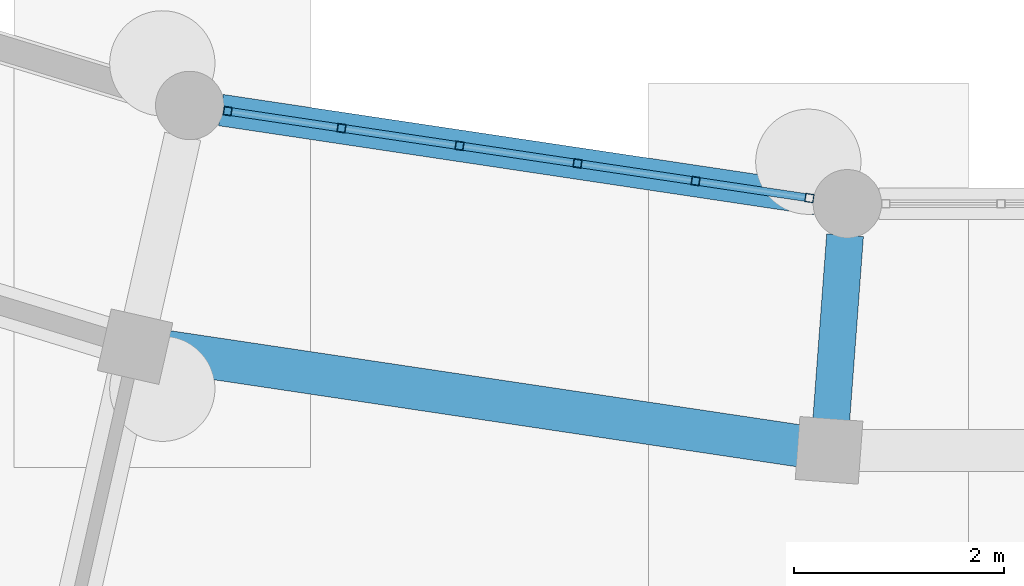
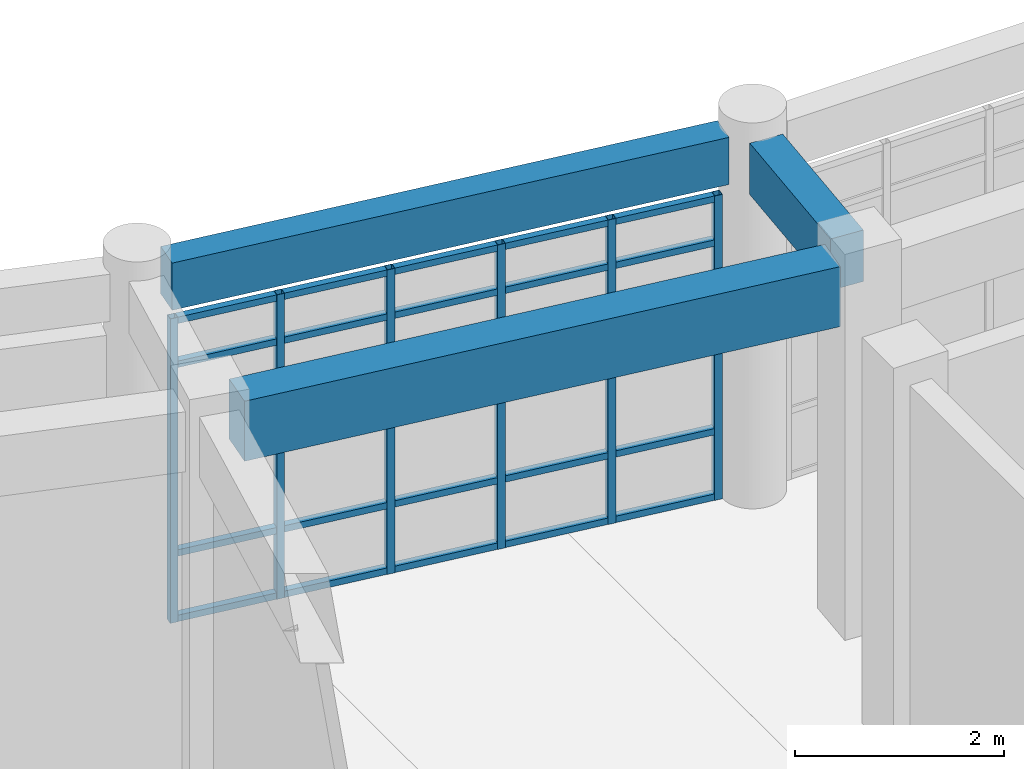
# One storey, part 38 of 153: 26 members, 3 beams, 1 element without a shape of its own.
"""IFC4 building model written with IfcOpenShell, lengths in metres."""

from ifc_helpers import new_model, si_unit, direction, frame, origin, origin_2d, place, context, subcontext, project, spatial, rectangle, hollow_rectangle, extrude, material, material_profile, profile_set, type_object, element, aggregate, save


model = new_model("IFC4")

# Units and contexts
model_context = context("Model", 3, precision=1e-05, world=origin(), true_north=direction((0.0, 1.0)))
body_context = subcontext(model_context, "Body", "Model", "MODEL_VIEW")
ifc_project = project(units=[si_unit("LENGTHUNIT", "METRE"), si_unit("AREAUNIT", "SQUARE_METRE"), si_unit("VOLUMEUNIT", "CUBIC_METRE"), si_unit("PLANEANGLEUNIT", "RADIAN"), si_unit("MASSUNIT", "GRAM", prefix="KILO")], contexts=[model_context])

# Site, building, storey
site_placement = place(None, origin())
site = spatial("IfcSite", under=ifc_project, at=site_placement, CompositionType="ELEMENT")
building_placement = place(site_placement, origin())
building = spatial("IfcBuilding", under=site, at=building_placement, Name="Celadon Cloister-Ring School", CompositionType="ELEMENT")
storey_placement = place(building_placement, origin())
storey = spatial("IfcBuildingStorey", under=building, at=storey_placement, Name="L00", CompositionType="ELEMENT", Elevation=0.0)

# Beam
ifc_material_1 = material(Name="Concrete C35/45", Category="concrete")
ifc_material_profile_1 = material_profile(ifc_material_1, rectangle(XDim=0.35009765625, YDim=0.60009765625, at=origin_2d()), Name="RC350X600")
ifc_profile_set_1 = profile_set([ifc_material_profile_1], Name="Concrete C35/45")
beam_type_1 = type_object("IfcBeamType", Name="BT-02", PredefinedType="BEAM", material=ifc_profile_set_1)
beam_1_placement = place(storey_placement, frame((83.68701171875, 14.39794921875, 3.97998046875), z_axis=(0.074413800037, 0.997227449664, 0.0), x_axis=(-0.997227449664, 0.074413800037, 0.0)))
element("IfcBeam", 1, at=beam_1_placement, inside=storey, type_object=beam_type_1, Name="Beam 0034", PredefinedType="BEAM", context=body_context, shape_type="SweptSolid", body=[
    extrude(rectangle(XDim=0.35009765625, YDim=0.60009765625, at=origin_2d()), origin(), (0.0, 0.0, 1.0), 1.77490234375),
])

# Curtain wall, members
ifc_material_2 = material(Name="Aluminium EN AW-6063 T6", Category="aluminium")
curtain_wall_type = type_object("IfcCurtainWallType", Name="CW-01", PredefinedType="USERDEFINED", material=ifc_material_2)
curtain_wall_placement = place(storey_placement, origin())
curtain_wall = element("IfcCurtainWall", 2, at=curtain_wall_placement, inside=storey, type_object=curtain_wall_type, Name="Curtain Wall 0009", ObjectType="CURTAIN WALL", PredefinedType="USERDEFINED")
ifc_material_3 = material(Name="Aluminium EN AW-6063 T6", Category="aluminium")
ifc_material_profile_2 = material_profile(ifc_material_3, hollow_rectangle(XDim=0.080078125, YDim=0.080078125, WallThickness=0.00390625, at=origin_2d()), Name="RHS80X80X4")
ifc_profile_set_2 = profile_set([ifc_material_profile_2], Name="Aluminium EN AW-6063 T6")
member_type_1 = type_object("IfcMemberType", Name="CM-03", PredefinedType="MULLION", material=ifc_profile_set_2)
member_1_placement = place(storey_placement, frame((77.95263671875, 17.34716796875, 0.0), z_axis=(0.0, 0.0, 1.0), x_axis=(0.147814282744, 0.989015135282, 0.0)))
member_1 = element("IfcMember", 3, at=member_1_placement, type_object=member_type_1, Name="CW-01 mullion 1", PredefinedType="MULLION", context=body_context, shape_type="SweptSolid", body=[
    extrude(hollow_rectangle(XDim=0.080078125, YDim=0.080078125, WallThickness=0.00390625, at=origin_2d()), origin(), (0.0, 0.0, 1.0), 3.550048828125),
])
member_2_placement = place(storey_placement, frame((79.034423828125, 17.185302734375, 0.0), z_axis=(0.0, 0.0, 1.0), x_axis=(0.147814282744, 0.989015135282, 0.0)))
member_2 = element("IfcMember", 4, at=member_2_placement, type_object=member_type_1, Name="CW-01 mullion 2", PredefinedType="MULLION", context=body_context, shape_type="SweptSolid", body=[
    extrude(hollow_rectangle(XDim=0.080078125, YDim=0.080078125, WallThickness=0.00390625, at=origin_2d()), origin(), (0.0, 0.0, 1.0), 3.550048828125),
])
member_3_placement = place(storey_placement, frame((80.15576171875, 17.017822265625, 0.0), z_axis=(0.0, 0.0, 1.0), x_axis=(0.147814282744, 0.989015135282, 0.0)))
member_3 = element("IfcMember", 5, at=member_3_placement, type_object=member_type_1, Name="CW-01 mullion 3", PredefinedType="MULLION", context=body_context, shape_type="SweptSolid", body=[
    extrude(hollow_rectangle(XDim=0.080078125, YDim=0.080078125, WallThickness=0.00390625, at=origin_2d()), origin(), (0.0, 0.0, 1.0), 3.550048828125),
])
member_4_placement = place(storey_placement, frame((81.277099609375, 16.85009765625, 0.0), z_axis=(0.0, 0.0, 1.0), x_axis=(0.147814282744, 0.989015135282, 0.0)))
member_4 = element("IfcMember", 6, at=member_4_placement, type_object=member_type_1, Name="CW-01 mullion 4", PredefinedType="MULLION", context=body_context, shape_type="SweptSolid", body=[
    extrude(hollow_rectangle(XDim=0.080078125, YDim=0.080078125, WallThickness=0.00390625, at=origin_2d()), origin(), (0.0, 0.0, 1.0), 3.550048828125),
])
member_5_placement = place(storey_placement, frame((82.398681640625, 16.6826171875, 0.0), z_axis=(0.0, 0.0, 1.0), x_axis=(0.147814282744, 0.989015135282, 0.0)))
member_5 = element("IfcMember", 7, at=member_5_placement, type_object=member_type_1, Name="CW-01 mullion 5", PredefinedType="MULLION", context=body_context, shape_type="SweptSolid", body=[
    extrude(hollow_rectangle(XDim=0.080078125, YDim=0.080078125, WallThickness=0.00390625, at=origin_2d()), origin(), (0.0, 0.0, 1.0), 3.550048828125),
])
member_6_placement = place(storey_placement, frame((83.48046875, 16.52099609375, 0.0), z_axis=(0.0, 0.0, 1.0), x_axis=(0.147814282744, 0.989015135282, 0.0)))
member_6 = element("IfcMember", 8, at=member_6_placement, type_object=member_type_1, Name="CW-01 mullion 6", PredefinedType="MULLION", context=body_context, shape_type="SweptSolid", body=[
    extrude(hollow_rectangle(XDim=0.080078125, YDim=0.080078125, WallThickness=0.00390625, at=origin_2d()), origin(), (0.0, 0.0, 1.0), 3.550048828125),
])
ifc_material_4 = material(Name="Aluminium EN AW-6063 T6", Category="aluminium")
ifc_material_profile_3 = material_profile(ifc_material_4, hollow_rectangle(XDim=0.074951171875, YDim=0.074951171875, WallThickness=0.00390625, at=origin_2d()), Name="RHS75X75X4")
ifc_profile_set_3 = profile_set([ifc_material_profile_3], Name="Aluminium EN AW-6063 T6")
member_type_2 = type_object("IfcMemberType", Name="CTM-03", PredefinedType="USERDEFINED", material=ifc_profile_set_3)
member_7_placement = place(storey_placement, frame((77.9921875, 17.341064453125, 0.03759765625), z_axis=(0.989043842312, -0.147622078241, 0.0), x_axis=(0.147622078241, 0.989043842312, 0.0)))
member_7 = element("IfcMember", 9, at=member_7_placement, type_object=member_type_2, Name="CW-01 transom 1.1", ObjectType="TRANSOM", PredefinedType="USERDEFINED", context=body_context, shape_type="SweptSolid", body=[
    extrude(hollow_rectangle(XDim=0.074951171875, YDim=0.074951171875, WallThickness=0.00390625, at=origin_2d()), origin(), (0.0, 0.0, 1.0), 1.013671875),
])
member_8_placement = place(storey_placement, frame((77.9921875, 17.341064453125, 0.800048828125), z_axis=(0.989043842312, -0.147622078241, 0.0), x_axis=(0.147622078241, 0.989043842312, 0.0)))
member_8 = element("IfcMember", 10, at=member_8_placement, type_object=member_type_2, Name="CW-01 transom 1.2", ObjectType="TRANSOM", PredefinedType="USERDEFINED", context=body_context, shape_type="SweptSolid", body=[
    extrude(hollow_rectangle(XDim=0.074951171875, YDim=0.074951171875, WallThickness=0.00390625, at=origin_2d()), origin(), (0.0, 0.0, 1.0), 1.013671875),
])
member_9_placement = place(storey_placement, frame((77.9921875, 17.341064453125, 3.0), z_axis=(0.989043842312, -0.147622078241, 0.0), x_axis=(0.147622078241, 0.989043842312, 0.0)))
member_9 = element("IfcMember", 11, at=member_9_placement, type_object=member_type_2, Name="CW-01 transom 1.3", ObjectType="TRANSOM", PredefinedType="USERDEFINED", context=body_context, shape_type="SweptSolid", body=[
    extrude(hollow_rectangle(XDim=0.074951171875, YDim=0.074951171875, WallThickness=0.00390625, at=origin_2d()), origin(), (0.0, 0.0, 1.0), 1.013671875),
])
member_10_placement = place(storey_placement, frame((77.9921875, 17.341064453125, 3.512451171875), z_axis=(0.989043842312, -0.147622078241, 0.0), x_axis=(0.147622078241, 0.989043842312, 0.0)))
member_10 = element("IfcMember", 12, at=member_10_placement, type_object=member_type_2, Name="CW-01 transom 1.4", ObjectType="TRANSOM", PredefinedType="USERDEFINED", context=body_context, shape_type="SweptSolid", body=[
    extrude(hollow_rectangle(XDim=0.074951171875, YDim=0.074951171875, WallThickness=0.00390625, at=origin_2d()), origin(), (0.0, 0.0, 1.0), 1.013671875),
])
member_11_placement = place(storey_placement, frame((79.073974609375, 17.179443359375, 0.03759765625), z_axis=(0.989016077564, -0.14780797786, 0.0), x_axis=(0.14780797786, 0.989016077564, 0.0)))
member_11 = element("IfcMember", 13, at=member_11_placement, type_object=member_type_2, Name="CW-01 transom 2.1", ObjectType="TRANSOM", PredefinedType="USERDEFINED", context=body_context, shape_type="SweptSolid", body=[
    extrude(hollow_rectangle(XDim=0.074951171875, YDim=0.074951171875, WallThickness=0.00390625, at=origin_2d()), origin(), (0.0, 0.0, 1.0), 1.0537109375),
])
member_12_placement = place(storey_placement, frame((79.073974609375, 17.179443359375, 0.800048828125), z_axis=(0.989016077564, -0.14780797786, 0.0), x_axis=(0.14780797786, 0.989016077564, 0.0)))
member_12 = element("IfcMember", 14, at=member_12_placement, type_object=member_type_2, Name="CW-01 transom 2.2", ObjectType="TRANSOM", PredefinedType="USERDEFINED", context=body_context, shape_type="SweptSolid", body=[
    extrude(hollow_rectangle(XDim=0.074951171875, YDim=0.074951171875, WallThickness=0.00390625, at=origin_2d()), origin(), (0.0, 0.0, 1.0), 1.0537109375),
])
member_13_placement = place(storey_placement, frame((79.073974609375, 17.179443359375, 3.0), z_axis=(0.989016077564, -0.14780797786, 0.0), x_axis=(0.14780797786, 0.989016077564, 0.0)))
member_13 = element("IfcMember", 15, at=member_13_placement, type_object=member_type_2, Name="CW-01 transom 2.3", ObjectType="TRANSOM", PredefinedType="USERDEFINED", context=body_context, shape_type="SweptSolid", body=[
    extrude(hollow_rectangle(XDim=0.074951171875, YDim=0.074951171875, WallThickness=0.00390625, at=origin_2d()), origin(), (0.0, 0.0, 1.0), 1.0537109375),
])
member_14_placement = place(storey_placement, frame((79.073974609375, 17.179443359375, 3.512451171875), z_axis=(0.989016077564, -0.14780797786, 0.0), x_axis=(0.14780797786, 0.989016077564, 0.0)))
member_14 = element("IfcMember", 16, at=member_14_placement, type_object=member_type_2, Name="CW-01 transom 2.4", ObjectType="TRANSOM", PredefinedType="USERDEFINED", context=body_context, shape_type="SweptSolid", body=[
    extrude(hollow_rectangle(XDim=0.074951171875, YDim=0.074951171875, WallThickness=0.00390625, at=origin_2d()), origin(), (0.0, 0.0, 1.0), 1.0537109375),
])
member_15_placement = place(storey_placement, frame((80.1953125, 17.011962890625, 0.03759765625), z_axis=(0.989016077564, -0.14780797786, 0.0), x_axis=(0.14780797786, 0.989016077564, 0.0)))
member_15 = element("IfcMember", 17, at=member_15_placement, type_object=member_type_2, Name="CW-01 transom 3.1", ObjectType="TRANSOM", PredefinedType="USERDEFINED", context=body_context, shape_type="SweptSolid", body=[
    extrude(hollow_rectangle(XDim=0.074951171875, YDim=0.074951171875, WallThickness=0.00390625, at=origin_2d()), origin(), (0.0, 0.0, 1.0), 1.0537109375),
])
member_16_placement = place(storey_placement, frame((80.1953125, 17.011962890625, 0.800048828125), z_axis=(0.989016077564, -0.14780797786, 0.0), x_axis=(0.14780797786, 0.989016077564, 0.0)))
member_16 = element("IfcMember", 18, at=member_16_placement, type_object=member_type_2, Name="CW-01 transom 3.2", ObjectType="TRANSOM", PredefinedType="USERDEFINED", context=body_context, shape_type="SweptSolid", body=[
    extrude(hollow_rectangle(XDim=0.074951171875, YDim=0.074951171875, WallThickness=0.00390625, at=origin_2d()), origin(), (0.0, 0.0, 1.0), 1.0537109375),
])
member_17_placement = place(storey_placement, frame((80.1953125, 17.011962890625, 3.0), z_axis=(0.989016077564, -0.14780797786, 0.0), x_axis=(0.14780797786, 0.989016077564, 0.0)))
member_17 = element("IfcMember", 19, at=member_17_placement, type_object=member_type_2, Name="CW-01 transom 3.3", ObjectType="TRANSOM", PredefinedType="USERDEFINED", context=body_context, shape_type="SweptSolid", body=[
    extrude(hollow_rectangle(XDim=0.074951171875, YDim=0.074951171875, WallThickness=0.00390625, at=origin_2d()), origin(), (0.0, 0.0, 1.0), 1.0537109375),
])
member_18_placement = place(storey_placement, frame((80.1953125, 17.011962890625, 3.512451171875), z_axis=(0.989016077564, -0.14780797786, 0.0), x_axis=(0.14780797786, 0.989016077564, 0.0)))
member_18 = element("IfcMember", 20, at=member_18_placement, type_object=member_type_2, Name="CW-01 transom 3.4", ObjectType="TRANSOM", PredefinedType="USERDEFINED", context=body_context, shape_type="SweptSolid", body=[
    extrude(hollow_rectangle(XDim=0.074951171875, YDim=0.074951171875, WallThickness=0.00390625, at=origin_2d()), origin(), (0.0, 0.0, 1.0), 1.0537109375),
])
member_19_placement = place(storey_placement, frame((81.316650390625, 16.84423828125, 0.03759765625), z_axis=(0.989021137252, -0.1477741184, 0.0), x_axis=(0.1477741184, 0.989021137252, 0.0)))
member_19 = element("IfcMember", 21, at=member_19_placement, type_object=member_type_2, Name="CW-01 transom 4.1", ObjectType="TRANSOM", PredefinedType="USERDEFINED", context=body_context, shape_type="SweptSolid", body=[
    extrude(hollow_rectangle(XDim=0.074951171875, YDim=0.074951171875, WallThickness=0.00390625, at=origin_2d()), origin(), (0.0, 0.0, 1.0), 1.053955078125),
])
member_20_placement = place(storey_placement, frame((81.316650390625, 16.84423828125, 0.800048828125), z_axis=(0.989021137252, -0.1477741184, 0.0), x_axis=(0.1477741184, 0.989021137252, 0.0)))
member_20 = element("IfcMember", 22, at=member_20_placement, type_object=member_type_2, Name="CW-01 transom 4.2", ObjectType="TRANSOM", PredefinedType="USERDEFINED", context=body_context, shape_type="SweptSolid", body=[
    extrude(hollow_rectangle(XDim=0.074951171875, YDim=0.074951171875, WallThickness=0.00390625, at=origin_2d()), origin(), (0.0, 0.0, 1.0), 1.053955078125),
])
member_21_placement = place(storey_placement, frame((81.316650390625, 16.84423828125, 3.0), z_axis=(0.989021137252, -0.1477741184, 0.0), x_axis=(0.1477741184, 0.989021137252, 0.0)))
member_21 = element("IfcMember", 23, at=member_21_placement, type_object=member_type_2, Name="CW-01 transom 4.3", ObjectType="TRANSOM", PredefinedType="USERDEFINED", context=body_context, shape_type="SweptSolid", body=[
    extrude(hollow_rectangle(XDim=0.074951171875, YDim=0.074951171875, WallThickness=0.00390625, at=origin_2d()), origin(), (0.0, 0.0, 1.0), 1.053955078125),
])
member_22_placement = place(storey_placement, frame((81.316650390625, 16.84423828125, 3.512451171875), z_axis=(0.989021137252, -0.1477741184, 0.0), x_axis=(0.1477741184, 0.989021137252, 0.0)))
member_22 = element("IfcMember", 24, at=member_22_placement, type_object=member_type_2, Name="CW-01 transom 4.4", ObjectType="TRANSOM", PredefinedType="USERDEFINED", context=body_context, shape_type="SweptSolid", body=[
    extrude(hollow_rectangle(XDim=0.074951171875, YDim=0.074951171875, WallThickness=0.00390625, at=origin_2d()), origin(), (0.0, 0.0, 1.0), 1.053955078125),
])
member_23_placement = place(storey_placement, frame((82.438232421875, 16.6767578125, 0.03759765625), z_axis=(0.989008654796, -0.147857636729, 0.0), x_axis=(0.147857636729, 0.989008654796, 0.0)))
member_23 = element("IfcMember", 25, at=member_23_placement, type_object=member_type_2, Name="CW-01 transom 5.1", ObjectType="TRANSOM", PredefinedType="USERDEFINED", context=body_context, shape_type="SweptSolid", body=[
    extrude(hollow_rectangle(XDim=0.074951171875, YDim=0.074951171875, WallThickness=0.00390625, at=origin_2d()), origin(), (0.0, 0.0, 1.0), 1.013916015625),
])
member_24_placement = place(storey_placement, frame((82.438232421875, 16.6767578125, 0.800048828125), z_axis=(0.989008654796, -0.147857636729, 0.0), x_axis=(0.147857636729, 0.989008654796, 0.0)))
member_24 = element("IfcMember", 26, at=member_24_placement, type_object=member_type_2, Name="CW-01 transom 5.2", ObjectType="TRANSOM", PredefinedType="USERDEFINED", context=body_context, shape_type="SweptSolid", body=[
    extrude(hollow_rectangle(XDim=0.074951171875, YDim=0.074951171875, WallThickness=0.00390625, at=origin_2d()), origin(), (0.0, 0.0, 1.0), 1.013916015625),
])
member_25_placement = place(storey_placement, frame((82.438232421875, 16.6767578125, 3.0), z_axis=(0.989008654796, -0.147857636729, 0.0), x_axis=(0.147857636729, 0.989008654796, 0.0)))
member_25 = element("IfcMember", 27, at=member_25_placement, type_object=member_type_2, Name="CW-01 transom 5.3", ObjectType="TRANSOM", PredefinedType="USERDEFINED", context=body_context, shape_type="SweptSolid", body=[
    extrude(hollow_rectangle(XDim=0.074951171875, YDim=0.074951171875, WallThickness=0.00390625, at=origin_2d()), origin(), (0.0, 0.0, 1.0), 1.013916015625),
])
member_26_placement = place(storey_placement, frame((82.438232421875, 16.6767578125, 3.512451171875), z_axis=(0.989008654796, -0.147857636729, 0.0), x_axis=(0.147857636729, 0.989008654796, 0.0)))
member_26 = element("IfcMember", 28, at=member_26_placement, type_object=member_type_2, Name="CW-01 transom 5.4", ObjectType="TRANSOM", PredefinedType="USERDEFINED", context=body_context, shape_type="SweptSolid", body=[
    extrude(hollow_rectangle(XDim=0.074951171875, YDim=0.074951171875, WallThickness=0.00390625, at=origin_2d()), origin(), (0.0, 0.0, 1.0), 1.013916015625),
])
aggregate(curtain_wall, [member_1, member_2, member_3, member_4, member_5, member_6, member_7, member_8, member_9, member_10, member_11, member_12, member_13, member_14, member_15, member_16, member_17, member_18, member_19, member_20, member_21, member_22, member_23, member_24, member_25, member_26])

# Beams
ifc_material_5 = material(Name="Concrete C35/45", Category="concrete")
ifc_material_profile_4 = material_profile(ifc_material_5, rectangle(XDim=0.39990234375, YDim=0.699951171875, at=origin_2d()), Name="RC400X700")
ifc_profile_set_4 = profile_set([ifc_material_profile_4], Name="Concrete C35/45")
beam_type_2 = type_object("IfcBeamType", Name="GT-03", PredefinedType="USERDEFINED", material=ifc_profile_set_4)
beam_2_placement = place(storey_placement, frame((77.344970703125, 15.068115234375, 3.929931640625), z_axis=(0.989042366653, -0.14763196458, 0.0), x_axis=(0.14763196458, 0.989042366653, 0.0)))
element("IfcBeam", 29, at=beam_2_placement, inside=storey, type_object=beam_type_2, Name="Beam 0131", ObjectType="GIRDER", PredefinedType="USERDEFINED", context=body_context, shape_type="SweptSolid", body=[
    extrude(rectangle(XDim=0.39990234375, YDim=0.699951171875, at=origin_2d()), origin(), (0.0, 0.0, 1.0), 6.1171875),
])
ifc_material_6 = material(Name="Concrete C35/45", Category="concrete")
ifc_material_profile_5 = material_profile(ifc_material_6, rectangle(XDim=0.300048828125, YDim=0.550048828125, at=origin_2d()), Name="RC300X550")
ifc_profile_set_5 = profile_set([ifc_material_profile_5], Name="Concrete C35/45")
beam_type_3 = type_object("IfcBeamType", Name="SP-02", PredefinedType="SPANDREL", material=ifc_profile_set_5)
beam_3_placement = place(storey_placement, frame((77.888916015625, 17.35693359375, 4.0048828125), z_axis=(0.988995465625, -0.147945831213, 0.0), x_axis=(0.147945831213, 0.988995465625, 0.0)))
element("IfcBeam", 30, at=beam_3_placement, inside=storey, type_object=beam_type_3, Name="Beam 0132", PredefinedType="SPANDREL", context=body_context, shape_type="SweptSolid", body=[
    extrude(rectangle(XDim=0.300048828125, YDim=0.550048828125, at=origin_2d()), origin(), (0.0, 0.0, 1.0), 5.718017578125),
])

save(model, "model.ifc")
